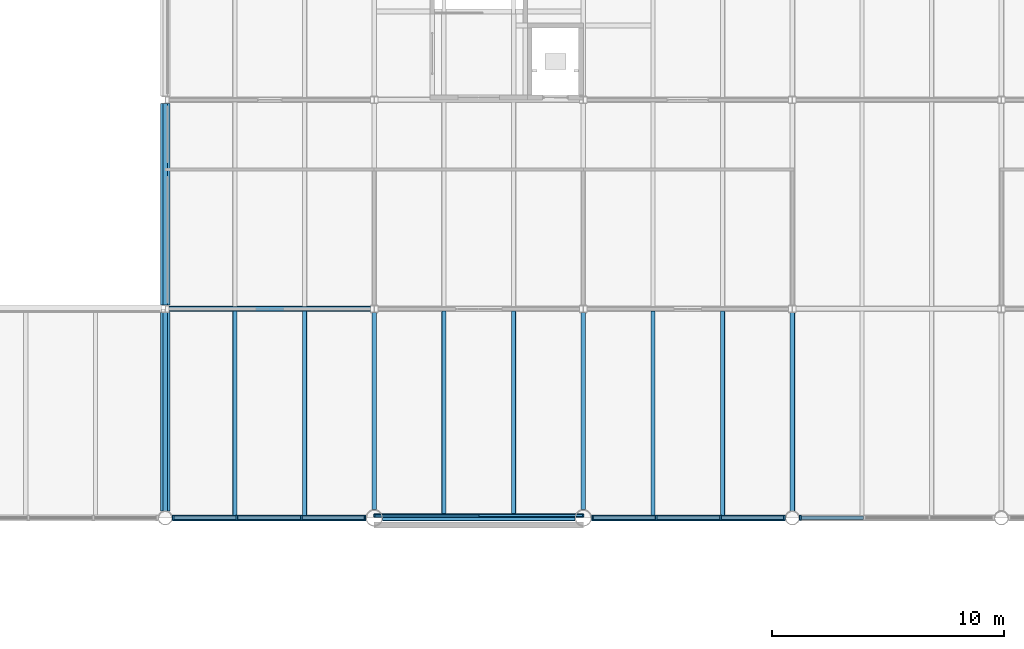
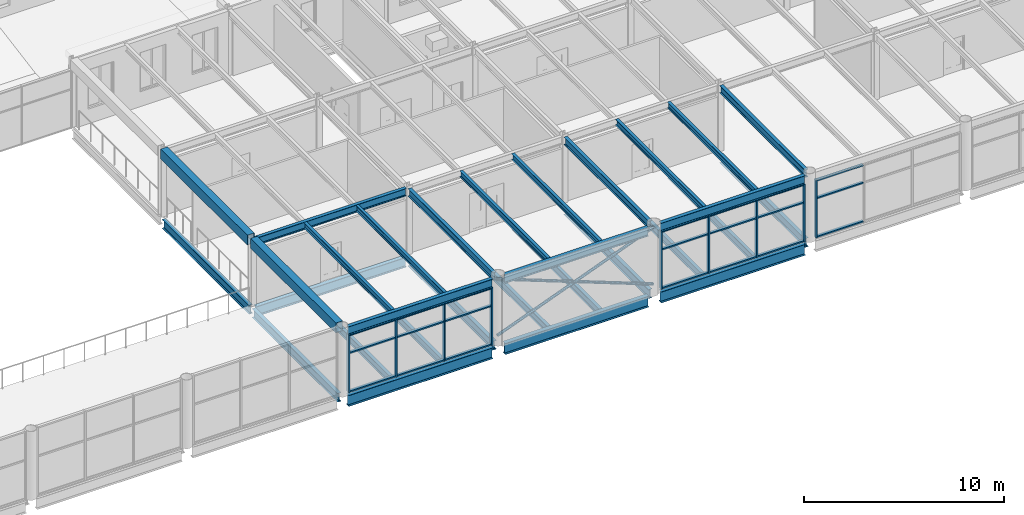
# One storey, part 42 of 123: 32 members, 30 beams, 3 elements without a shape of their own.
"""IFC4 building model written with IfcOpenShell, lengths in metres."""

from ifc_helpers import new_model, si_unit, direction, frame, origin, origin_2d, place, context, subcontext, project, spatial, rectangle, hollow_rectangle, hollow_circle, i_section, extrude, material, material_profile, profile_set, type_object, element, aggregate, save


model = new_model("IFC4")

# Units and contexts
model_context = context("Model", 3, precision=1e-05, world=origin(), true_north=direction((0.0, 1.0)))
body_context = subcontext(model_context, "Body", "Model", "MODEL_VIEW")
ifc_project = project(units=[si_unit("LENGTHUNIT", "METRE"), si_unit("AREAUNIT", "SQUARE_METRE"), si_unit("VOLUMEUNIT", "CUBIC_METRE"), si_unit("PLANEANGLEUNIT", "RADIAN"), si_unit("MASSUNIT", "GRAM", prefix="KILO")], contexts=[model_context])

# Site, building, storey
site_placement = place(None, origin())
site = spatial("IfcSite", under=ifc_project, at=site_placement, CompositionType="ELEMENT")
building_placement = place(site_placement, origin())
building = spatial("IfcBuilding", under=site, at=building_placement, Name="Baradari Gate Terminus", CompositionType="ELEMENT")
storey_placement = place(building_placement, frame((0.0, 0.0, 7.5)))
storey = spatial("IfcBuildingStorey", under=building, at=storey_placement, Name="L01", CompositionType="ELEMENT", Elevation=7.5)

# Members
ifc_material_1 = material(Name="Steel S355", Category="steel")
ifc_material_profile_1 = material_profile(ifc_material_1, hollow_circle(Radius=0.084228515625, WallThickness=0.010009765625, at=origin_2d()), Name="CHS 168.3x10")
ifc_profile_set_1 = profile_set([ifc_material_profile_1], Name="Steel S355")
member_type_1 = type_object("IfcMemberType", Name="Column bracing X06 CHS 168.3x10", PredefinedType="BRACE", material=ifc_profile_set_1)
for number, where, z_axis, x_axis, name in (
    (1, (180.0, 81.10009765625, 0.35009765625), (0.933747810426, 0.0, 0.357931594757), (0.0, 1.0, 0.0), "Column bracing 21-22 line K L01"),
    (2, (189.0, 81.10009765625, 0.35009765625), (-0.933747810426, 0.0, 0.357931594757), (0.0, -1.0, 0.0), "Column bracing 21-22 line K L01"),
):
    element("IfcMember", number, at=place(storey_placement, frame(where, z_axis=z_axis, x_axis=x_axis)), inside=storey, type_object=member_type_1, Name=name, PredefinedType="BRACE", context=body_context, shape_type="SweptSolid", body=[
        extrude(hollow_circle(Radius=0.084228515625, WallThickness=0.010009765625, at=origin_2d()), origin(), (0.0, 0.0, 1.0), 9.638671875),
    ])

# Curtain wall, members
ifc_material_2 = material(Name="Aluminium 6063-T6", Category="aluminium")
curtain_wall_type = type_object("IfcCurtainWallType", Name="Curtain wall CW-13 concourse gallery glazing", PredefinedType="NOTDEFINED", material=ifc_material_2)
curtain_wall_1_placement = place(storey_placement, origin())
curtain_wall_1 = element("IfcCurtainWall", 3, at=curtain_wall_1_placement, inside=storey, type_object=curtain_wall_type, Name="Glazed curtain wall CW-13 HS bay 20 L01", PredefinedType="NOTDEFINED")
ifc_material_3 = material(Name="Aluminium 6063-T6", Category="aluminium")
ifc_material_profile_2 = material_profile(ifc_material_3, rectangle(XDim=0.22509765625, YDim=0.080078125, at=origin_2d()), Name="CM-13 80X225")
ifc_profile_set_2 = profile_set([ifc_material_profile_2], Name="Aluminium 6063-T6")
member_type_2 = type_object("IfcMemberType", Name="Curtain wall mullion CM-13 80x225", PredefinedType="MULLION", material=ifc_profile_set_2)
member_1_placement = place(storey_placement, frame((171.344970703125, 81.0, 0.0), z_axis=(0.0, 0.0, 1.0), x_axis=(0.0, 1.0, 0.0)))
member_1 = element("IfcMember", 4, at=member_1_placement, type_object=member_type_2, Name="CW-13 mullion 1", PredefinedType="MULLION", context=body_context, shape_type="SweptSolid", body=[
    extrude(rectangle(XDim=0.22509765625, YDim=0.080078125, at=origin_2d()), origin(), (0.0, 0.0, 1.0), 3.516845703125),
])
member_2_placement = place(storey_placement, frame((174.084716796875, 81.0, 0.0), z_axis=(0.0, 0.0, 1.0), x_axis=(0.0, 1.0, 0.0)))
member_2 = element("IfcMember", 5, at=member_2_placement, type_object=member_type_2, Name="CW-13 mullion 2", PredefinedType="MULLION", context=body_context, shape_type="SweptSolid", body=[
    extrude(rectangle(XDim=0.22509765625, YDim=0.080078125, at=origin_2d()), origin(), (0.0, 0.0, 1.0), 3.516845703125),
])
member_3_placement = place(storey_placement, frame((176.86474609375, 81.0, 0.0), z_axis=(0.0, 0.0, 1.0), x_axis=(0.0, 1.0, 0.0)))
member_3 = element("IfcMember", 6, at=member_3_placement, type_object=member_type_2, Name="CW-13 mullion 3", PredefinedType="MULLION", context=body_context, shape_type="SweptSolid", body=[
    extrude(rectangle(XDim=0.22509765625, YDim=0.080078125, at=origin_2d()), origin(), (0.0, 0.0, 1.0), 3.516845703125),
])
member_4_placement = place(storey_placement, frame((179.6044921875, 81.0, 0.0), z_axis=(0.0, 0.0, 1.0), x_axis=(0.0, 1.0, 0.0)))
member_4 = element("IfcMember", 7, at=member_4_placement, type_object=member_type_2, Name="CW-13 mullion 4", PredefinedType="MULLION", context=body_context, shape_type="SweptSolid", body=[
    extrude(rectangle(XDim=0.22509765625, YDim=0.080078125, at=origin_2d()), origin(), (0.0, 0.0, 1.0), 3.516845703125),
])

curtain_wall_2_placement = place(storey_placement, origin())
curtain_wall_2 = element("IfcCurtainWall", 8, at=curtain_wall_2_placement, inside=storey, type_object=curtain_wall_type, Name="Glazed curtain wall CW-13 HS bay 22 L01", PredefinedType="NOTDEFINED")
member_5_placement = place(storey_placement, frame((189.3955078125, 81.0, 0.0), z_axis=(0.0, 0.0, 1.0), x_axis=(0.0, 1.0, 0.0)))
member_5 = element("IfcMember", 9, at=member_5_placement, type_object=member_type_2, Name="CW-13 mullion 1", PredefinedType="MULLION", context=body_context, shape_type="SweptSolid", body=[
    extrude(rectangle(XDim=0.22509765625, YDim=0.080078125, at=origin_2d()), origin(), (0.0, 0.0, 1.0), 3.516845703125),
])
member_6_placement = place(storey_placement, frame((192.13525390625, 81.0, 0.0), z_axis=(0.0, 0.0, 1.0), x_axis=(0.0, 1.0, 0.0)))
member_6 = element("IfcMember", 10, at=member_6_placement, type_object=member_type_2, Name="CW-13 mullion 2", PredefinedType="MULLION", context=body_context, shape_type="SweptSolid", body=[
    extrude(rectangle(XDim=0.22509765625, YDim=0.080078125, at=origin_2d()), origin(), (0.0, 0.0, 1.0), 3.516845703125),
])
member_7_placement = place(storey_placement, frame((194.915283203125, 81.0, 0.0), z_axis=(0.0, 0.0, 1.0), x_axis=(0.0, 1.0, 0.0)))
member_7 = element("IfcMember", 11, at=member_7_placement, type_object=member_type_2, Name="CW-13 mullion 3", PredefinedType="MULLION", context=body_context, shape_type="SweptSolid", body=[
    extrude(rectangle(XDim=0.22509765625, YDim=0.080078125, at=origin_2d()), origin(), (0.0, 0.0, 1.0), 3.516845703125),
])
member_8_placement = place(storey_placement, frame((197.655029296875, 81.0, 0.0), z_axis=(0.0, 0.0, 1.0), x_axis=(0.0, 1.0, 0.0)))
member_8 = element("IfcMember", 12, at=member_8_placement, type_object=member_type_2, Name="CW-13 mullion 4", PredefinedType="MULLION", context=body_context, shape_type="SweptSolid", body=[
    extrude(rectangle(XDim=0.22509765625, YDim=0.080078125, at=origin_2d()), origin(), (0.0, 0.0, 1.0), 3.516845703125),
])

# Curtain wall, member
curtain_wall_3_placement = place(storey_placement, origin())
curtain_wall_3 = element("IfcCurtainWall", 13, at=curtain_wall_3_placement, inside=storey, type_object=curtain_wall_type, Name="Glazed curtain wall CW-13 HS bay 23 L01", PredefinedType="NOTDEFINED")
member_9_placement = place(storey_placement, frame((198.344970703125, 81.0, 0.0), z_axis=(0.0, 0.0, 1.0), x_axis=(0.0, 1.0, 0.0)))
member_9 = element("IfcMember", 14, at=member_9_placement, type_object=member_type_2, Name="CW-13 mullion 1", PredefinedType="MULLION", context=body_context, shape_type="SweptSolid", body=[
    extrude(rectangle(XDim=0.22509765625, YDim=0.080078125, at=origin_2d()), origin(), (0.0, 0.0, 1.0), 3.516845703125),
])

# Member
ifc_material_4 = material(Name="Aluminium 6063-T6", Category="aluminium")
ifc_material_profile_3 = material_profile(ifc_material_4, rectangle(XDim=0.159912109375, YDim=0.080078125, at=origin_2d()), Name="CT-13 80X160")
ifc_profile_set_3 = profile_set([ifc_material_profile_3], Name="Aluminium 6063-T6")
member_type_3 = type_object("IfcMemberType", Name="Curtain wall transom CT-13 80x160", PredefinedType="USERDEFINED", material=ifc_profile_set_3)
member_10_placement = place(storey_placement, frame((171.385009765625, 81.0, 0.0400390625), z_axis=(1.0, 0.0, 0.0), x_axis=(0.0, 1.0, 0.0)))
member_10 = element("IfcMember", 15, at=member_10_placement, type_object=member_type_3, Name="CW-13 transom 1.1", ObjectType="TRANSOM", PredefinedType="USERDEFINED", context=body_context, shape_type="SweptSolid", body=[
    extrude(rectangle(XDim=0.159912109375, YDim=0.080078125, at=origin_2d()), origin(), (0.0, 0.0, 1.0), 2.659912109375),
])

member_11_placement = place(storey_placement, frame((171.385009765625, 81.0, 2.39990234375), z_axis=(1.0, 0.0, 0.0), x_axis=(0.0, 1.0, 0.0)))
member_11 = element("IfcMember", 16, at=member_11_placement, type_object=member_type_3, Name="CW-13 transom 1.2", ObjectType="TRANSOM", PredefinedType="USERDEFINED", context=body_context, shape_type="SweptSolid", body=[
    extrude(rectangle(XDim=0.159912109375, YDim=0.080078125, at=origin_2d()), origin(), (0.0, 0.0, 1.0), 2.659912109375),
])

member_12_placement = place(storey_placement, frame((171.385009765625, 81.0, 3.476806640625), z_axis=(1.0, 0.0, 0.0), x_axis=(0.0, 1.0, 0.0)))
member_12 = element("IfcMember", 17, at=member_12_placement, type_object=member_type_3, Name="CW-13 transom 1.3", ObjectType="TRANSOM", PredefinedType="USERDEFINED", context=body_context, shape_type="SweptSolid", body=[
    extrude(rectangle(XDim=0.159912109375, YDim=0.080078125, at=origin_2d()), origin(), (0.0, 0.0, 1.0), 2.659912109375),
])

member_13_placement = place(storey_placement, frame((174.124755859375, 81.0, 0.0400390625), z_axis=(1.0, 0.0, 0.0), x_axis=(0.0, 1.0, 0.0)))
member_13 = element("IfcMember", 18, at=member_13_placement, type_object=member_type_3, Name="CW-13 transom 2.1", ObjectType="TRANSOM", PredefinedType="USERDEFINED", context=body_context, shape_type="SweptSolid", body=[
    extrude(rectangle(XDim=0.159912109375, YDim=0.080078125, at=origin_2d()), origin(), (0.0, 0.0, 1.0), 2.699951171875),
])

member_14_placement = place(storey_placement, frame((174.124755859375, 81.0, 2.39990234375), z_axis=(1.0, 0.0, 0.0), x_axis=(0.0, 1.0, 0.0)))
member_14 = element("IfcMember", 19, at=member_14_placement, type_object=member_type_3, Name="CW-13 transom 2.2", ObjectType="TRANSOM", PredefinedType="USERDEFINED", context=body_context, shape_type="SweptSolid", body=[
    extrude(rectangle(XDim=0.159912109375, YDim=0.080078125, at=origin_2d()), origin(), (0.0, 0.0, 1.0), 2.699951171875),
])

member_15_placement = place(storey_placement, frame((174.124755859375, 81.0, 3.476806640625), z_axis=(1.0, 0.0, 0.0), x_axis=(0.0, 1.0, 0.0)))
member_15 = element("IfcMember", 20, at=member_15_placement, type_object=member_type_3, Name="CW-13 transom 2.3", ObjectType="TRANSOM", PredefinedType="USERDEFINED", context=body_context, shape_type="SweptSolid", body=[
    extrude(rectangle(XDim=0.159912109375, YDim=0.080078125, at=origin_2d()), origin(), (0.0, 0.0, 1.0), 2.699951171875),
])

member_16_placement = place(storey_placement, frame((176.90478515625, 81.0, 0.0400390625), z_axis=(1.0, 0.0, 0.0), x_axis=(0.0, 1.0, 0.0)))
member_16 = element("IfcMember", 21, at=member_16_placement, type_object=member_type_3, Name="CW-13 transom 3.1", ObjectType="TRANSOM", PredefinedType="USERDEFINED", context=body_context, shape_type="SweptSolid", body=[
    extrude(rectangle(XDim=0.159912109375, YDim=0.080078125, at=origin_2d()), origin(), (0.0, 0.0, 1.0), 2.65966796875),
])

member_17_placement = place(storey_placement, frame((176.90478515625, 81.0, 2.39990234375), z_axis=(1.0, 0.0, 0.0), x_axis=(0.0, 1.0, 0.0)))
member_17 = element("IfcMember", 22, at=member_17_placement, type_object=member_type_3, Name="CW-13 transom 3.2", ObjectType="TRANSOM", PredefinedType="USERDEFINED", context=body_context, shape_type="SweptSolid", body=[
    extrude(rectangle(XDim=0.159912109375, YDim=0.080078125, at=origin_2d()), origin(), (0.0, 0.0, 1.0), 2.65966796875),
])

member_18_placement = place(storey_placement, frame((176.90478515625, 81.0, 3.476806640625), z_axis=(1.0, 0.0, 0.0), x_axis=(0.0, 1.0, 0.0)))
member_18 = element("IfcMember", 23, at=member_18_placement, type_object=member_type_3, Name="CW-13 transom 3.3", ObjectType="TRANSOM", PredefinedType="USERDEFINED", context=body_context, shape_type="SweptSolid", body=[
    extrude(rectangle(XDim=0.159912109375, YDim=0.080078125, at=origin_2d()), origin(), (0.0, 0.0, 1.0), 2.65966796875),
])

aggregate(curtain_wall_1, [member_1, member_2, member_3, member_4, member_10, member_11, member_12, member_13, member_14, member_15, member_16, member_17, member_18])

member_19_placement = place(storey_placement, frame((189.435546875, 81.0, 0.0400390625), z_axis=(1.0, 0.0, 0.0), x_axis=(0.0, 1.0, 0.0)))
member_19 = element("IfcMember", 24, at=member_19_placement, type_object=member_type_3, Name="CW-13 transom 1.1", ObjectType="TRANSOM", PredefinedType="USERDEFINED", context=body_context, shape_type="SweptSolid", body=[
    extrude(rectangle(XDim=0.159912109375, YDim=0.080078125, at=origin_2d()), origin(), (0.0, 0.0, 1.0), 2.65966796875),
])

member_20_placement = place(storey_placement, frame((189.435546875, 81.0, 2.39990234375), z_axis=(1.0, 0.0, 0.0), x_axis=(0.0, 1.0, 0.0)))
member_20 = element("IfcMember", 25, at=member_20_placement, type_object=member_type_3, Name="CW-13 transom 1.2", ObjectType="TRANSOM", PredefinedType="USERDEFINED", context=body_context, shape_type="SweptSolid", body=[
    extrude(rectangle(XDim=0.159912109375, YDim=0.080078125, at=origin_2d()), origin(), (0.0, 0.0, 1.0), 2.65966796875),
])

member_21_placement = place(storey_placement, frame((189.435546875, 81.0, 3.476806640625), z_axis=(1.0, 0.0, 0.0), x_axis=(0.0, 1.0, 0.0)))
member_21 = element("IfcMember", 26, at=member_21_placement, type_object=member_type_3, Name="CW-13 transom 1.3", ObjectType="TRANSOM", PredefinedType="USERDEFINED", context=body_context, shape_type="SweptSolid", body=[
    extrude(rectangle(XDim=0.159912109375, YDim=0.080078125, at=origin_2d()), origin(), (0.0, 0.0, 1.0), 2.65966796875),
])

member_22_placement = place(storey_placement, frame((192.17529296875, 81.0, 0.0400390625), z_axis=(1.0, 0.0, 0.0), x_axis=(0.0, 1.0, 0.0)))
member_22 = element("IfcMember", 27, at=member_22_placement, type_object=member_type_3, Name="CW-13 transom 2.1", ObjectType="TRANSOM", PredefinedType="USERDEFINED", context=body_context, shape_type="SweptSolid", body=[
    extrude(rectangle(XDim=0.159912109375, YDim=0.080078125, at=origin_2d()), origin(), (0.0, 0.0, 1.0), 2.699951171875),
])

member_23_placement = place(storey_placement, frame((192.17529296875, 81.0, 2.39990234375), z_axis=(1.0, 0.0, 0.0), x_axis=(0.0, 1.0, 0.0)))
member_23 = element("IfcMember", 28, at=member_23_placement, type_object=member_type_3, Name="CW-13 transom 2.2", ObjectType="TRANSOM", PredefinedType="USERDEFINED", context=body_context, shape_type="SweptSolid", body=[
    extrude(rectangle(XDim=0.159912109375, YDim=0.080078125, at=origin_2d()), origin(), (0.0, 0.0, 1.0), 2.699951171875),
])

member_24_placement = place(storey_placement, frame((192.17529296875, 81.0, 3.476806640625), z_axis=(1.0, 0.0, 0.0), x_axis=(0.0, 1.0, 0.0)))
member_24 = element("IfcMember", 29, at=member_24_placement, type_object=member_type_3, Name="CW-13 transom 2.3", ObjectType="TRANSOM", PredefinedType="USERDEFINED", context=body_context, shape_type="SweptSolid", body=[
    extrude(rectangle(XDim=0.159912109375, YDim=0.080078125, at=origin_2d()), origin(), (0.0, 0.0, 1.0), 2.699951171875),
])

member_25_placement = place(storey_placement, frame((194.955078125, 81.0, 0.0400390625), z_axis=(1.0, 0.0, 0.0), x_axis=(0.0, 1.0, 0.0)))
member_25 = element("IfcMember", 30, at=member_25_placement, type_object=member_type_3, Name="CW-13 transom 3.1", ObjectType="TRANSOM", PredefinedType="USERDEFINED", context=body_context, shape_type="SweptSolid", body=[
    extrude(rectangle(XDim=0.159912109375, YDim=0.080078125, at=origin_2d()), origin(), (0.0, 0.0, 1.0), 2.659912109375),
])

member_26_placement = place(storey_placement, frame((194.955078125, 81.0, 2.39990234375), z_axis=(1.0, 0.0, 0.0), x_axis=(0.0, 1.0, 0.0)))
member_26 = element("IfcMember", 31, at=member_26_placement, type_object=member_type_3, Name="CW-13 transom 3.2", ObjectType="TRANSOM", PredefinedType="USERDEFINED", context=body_context, shape_type="SweptSolid", body=[
    extrude(rectangle(XDim=0.159912109375, YDim=0.080078125, at=origin_2d()), origin(), (0.0, 0.0, 1.0), 2.659912109375),
])

member_27_placement = place(storey_placement, frame((194.955078125, 81.0, 3.476806640625), z_axis=(1.0, 0.0, 0.0), x_axis=(0.0, 1.0, 0.0)))
member_27 = element("IfcMember", 32, at=member_27_placement, type_object=member_type_3, Name="CW-13 transom 3.3", ObjectType="TRANSOM", PredefinedType="USERDEFINED", context=body_context, shape_type="SweptSolid", body=[
    extrude(rectangle(XDim=0.159912109375, YDim=0.080078125, at=origin_2d()), origin(), (0.0, 0.0, 1.0), 2.659912109375),
])

aggregate(curtain_wall_2, [member_5, member_6, member_7, member_8, member_19, member_20, member_21, member_22, member_23, member_24, member_25, member_26, member_27])

member_28_placement = place(storey_placement, frame((198.385009765625, 81.0, 0.0400390625), z_axis=(1.0, 0.0, 0.0), x_axis=(0.0, 1.0, 0.0)))
member_28 = element("IfcMember", 33, at=member_28_placement, type_object=member_type_3, Name="CW-13 transom 1.1", ObjectType="TRANSOM", PredefinedType="USERDEFINED", context=body_context, shape_type="SweptSolid", body=[
    extrude(rectangle(XDim=0.159912109375, YDim=0.080078125, at=origin_2d()), origin(), (0.0, 0.0, 1.0), 2.6767578125),
])

member_29_placement = place(storey_placement, frame((198.385009765625, 81.0, 2.39990234375), z_axis=(1.0, 0.0, 0.0), x_axis=(0.0, 1.0, 0.0)))
member_29 = element("IfcMember", 34, at=member_29_placement, type_object=member_type_3, Name="CW-13 transom 1.2", ObjectType="TRANSOM", PredefinedType="USERDEFINED", context=body_context, shape_type="SweptSolid", body=[
    extrude(rectangle(XDim=0.159912109375, YDim=0.080078125, at=origin_2d()), origin(), (0.0, 0.0, 1.0), 2.6767578125),
])

member_30_placement = place(storey_placement, frame((198.385009765625, 81.0, 3.476806640625), z_axis=(1.0, 0.0, 0.0), x_axis=(0.0, 1.0, 0.0)))
member_30 = element("IfcMember", 35, at=member_30_placement, type_object=member_type_3, Name="CW-13 transom 1.3", ObjectType="TRANSOM", PredefinedType="USERDEFINED", context=body_context, shape_type="SweptSolid", body=[
    extrude(rectangle(XDim=0.159912109375, YDim=0.080078125, at=origin_2d()), origin(), (0.0, 0.0, 1.0), 2.6767578125),
])

aggregate(curtain_wall_3, [member_9, member_28, member_29, member_30])

# Beams
ifc_material_5 = material(Name="Steel S355", Category="steel")
ifc_material_profile_4 = material_profile(ifc_material_5, i_section(OverallWidth=0.210693359375, OverallDepth=0.53955078125, WebThickness=0.01171875, FlangeThickness=0.018798828125, FilletRadius=0.0126953125, at=origin_2d()), Name="UB 533x210x109")
ifc_profile_set_4 = profile_set([ifc_material_profile_4], Name="Steel S355")
beam_type_1 = type_object("IfcBeamType", Name="Head-house cross girder B12 UB 533x210x109", PredefinedType="BEAM", material=ifc_profile_set_4)
beam_1_placement = place(storey_placement, frame((171.0, 81.304931640625, -0.399658203125), z_axis=(0.0, 1.0, 0.0), x_axis=(-1.0, 0.0, 0.0)))
element("IfcBeam", 36, at=beam_1_placement, inside=storey, type_object=beam_type_1, Name="Head-house cross girder B12 20:81.305-89.843 L01", PredefinedType="BEAM", context=body_context, shape_type="SweptSolid", body=[
    extrude(i_section(OverallWidth=0.210693359375, OverallDepth=0.53955078125, WebThickness=0.01171875, FlangeThickness=0.018798828125, FilletRadius=0.0126953125, at=origin_2d()), origin(), (0.0, 0.0, 1.0), 8.537841796875),
])
beam_2_placement = place(storey_placement, frame((171.0, 90.1572265625, -0.399658203125), z_axis=(0.0, 1.0, 0.0), x_axis=(-1.0, 0.0, 0.0)))
element("IfcBeam", 37, at=beam_2_placement, inside=storey, type_object=beam_type_1, Name="Head-house cross girder B12 20:90.157-98.843 L01", PredefinedType="BEAM", context=body_context, shape_type="SweptSolid", body=[
    extrude(i_section(OverallWidth=0.210693359375, OverallDepth=0.53955078125, WebThickness=0.01171875, FlangeThickness=0.018798828125, FilletRadius=0.0126953125, at=origin_2d()), origin(), (0.0, 0.0, 1.0), 8.685546875),
])
for number, where, z_axis, x_axis, name in (
    (38, (180.0, 81.35546875, -0.399658203125), (0.0, 1.0, 0.0), (-1.0, 0.0, 0.0), "Head-house cross girder B12 21:81.356-89.843 L01"),
    (39, (189.0, 81.35546875, -0.399658203125), (0.0, 1.0, 0.0), (-1.0, 0.0, 0.0), "Head-house cross girder B12 22:81.356-89.843 L01"),
):
    element("IfcBeam", number, at=place(storey_placement, frame(where, z_axis=z_axis, x_axis=x_axis)), inside=storey, type_object=beam_type_1, Name=name, PredefinedType="BEAM", context=body_context, shape_type="SweptSolid", body=[
        extrude(i_section(OverallWidth=0.210693359375, OverallDepth=0.53955078125, WebThickness=0.01171875, FlangeThickness=0.018798828125, FilletRadius=0.0126953125, at=origin_2d()), origin(), (0.0, 0.0, 1.0), 8.4873046875),
    ])
beam_3_placement = place(storey_placement, frame((198.0, 81.304931640625, -0.399658203125), z_axis=(0.0, 1.0, 0.0), x_axis=(-1.0, 0.0, 0.0)))
element("IfcBeam", 40, at=beam_3_placement, inside=storey, type_object=beam_type_1, Name="Head-house cross girder B12 23:81.305-89.843 L01", PredefinedType="BEAM", context=body_context, shape_type="SweptSolid", body=[
    extrude(i_section(OverallWidth=0.210693359375, OverallDepth=0.53955078125, WebThickness=0.01171875, FlangeThickness=0.018798828125, FilletRadius=0.0126953125, at=origin_2d()), origin(), (0.0, 0.0, 1.0), 8.537841796875),
])
ifc_material_6 = material(Name="Steel S355", Category="steel")
ifc_material_profile_5 = material_profile(ifc_material_6, i_section(OverallWidth=0.2529296875, OverallDepth=0.677978515625, WebThickness=0.01171875, FlangeThickness=0.01611328125, FilletRadius=0.01513671875, at=origin_2d()), Name="UB 686x254x125")
ifc_profile_set_5 = profile_set([ifc_material_profile_5], Name="Steel S355")
beam_type_2 = type_object("IfcBeamType", Name="Head-house edge girder B07 UB 686x254x125", PredefinedType="BEAM", material=ifc_profile_set_5)
beam_4_placement = place(storey_placement, frame((171.304931640625, 81.0, -0.468994140625), z_axis=(1.0, 0.0, 0.0), x_axis=(0.0, 1.0, 0.0)))
element("IfcBeam", 41, at=beam_4_placement, inside=storey, type_object=beam_type_2, Name="Head-house edge girder B07 K:171.305-179.644 L01", PredefinedType="BEAM", context=body_context, shape_type="SweptSolid", body=[
    extrude(i_section(OverallWidth=0.2529296875, OverallDepth=0.677978515625, WebThickness=0.01171875, FlangeThickness=0.01611328125, FilletRadius=0.01513671875, at=origin_2d()), origin(), (0.0, 0.0, 1.0), 8.339599609375),
])
beam_5_placement = place(storey_placement, frame((180.35546875, 81.0, -0.468994140625), z_axis=(1.0, 0.0, 0.0), x_axis=(0.0, 1.0, 0.0)))
element("IfcBeam", 42, at=beam_5_placement, inside=storey, type_object=beam_type_2, Name="Head-house edge girder B07 K:180.356-188.644 L01", PredefinedType="BEAM", context=body_context, shape_type="SweptSolid", body=[
    extrude(i_section(OverallWidth=0.2529296875, OverallDepth=0.677978515625, WebThickness=0.01171875, FlangeThickness=0.01611328125, FilletRadius=0.01513671875, at=origin_2d()), origin(), (0.0, 0.0, 1.0), 8.2890625),
])
beam_6_placement = place(storey_placement, frame((189.35546875, 81.0, -0.468994140625), z_axis=(1.0, 0.0, 0.0), x_axis=(0.0, 1.0, 0.0)))
element("IfcBeam", 43, at=beam_6_placement, inside=storey, type_object=beam_type_2, Name="Head-house edge girder B07 K:189.356-197.695 L01", PredefinedType="BEAM", context=body_context, shape_type="SweptSolid", body=[
    extrude(i_section(OverallWidth=0.2529296875, OverallDepth=0.677978515625, WebThickness=0.01171875, FlangeThickness=0.01611328125, FilletRadius=0.01513671875, at=origin_2d()), origin(), (0.0, 0.0, 1.0), 8.339599609375),
])
ifc_material_7 = material(Name="Steel S355", Category="steel")
ifc_material_profile_6 = material_profile(ifc_material_7, i_section(OverallWidth=0.22900390625, OverallDepth=0.6123046875, WebThickness=0.011962890625, FlangeThickness=0.01953125, FilletRadius=0.0126953125, at=origin_2d()), Name="UB 610x229x125")
ifc_profile_set_6 = profile_set([ifc_material_profile_6], Name="Steel S355")
beam_type_3 = type_object("IfcBeamType", Name="Head-house girder B09 UB 610x229x125", PredefinedType="BEAM", material=ifc_profile_set_6)
beam_7_placement = place(storey_placement, frame((171.15380859375, 90.0, -0.43603515625), z_axis=(1.0, 0.0, 0.0), x_axis=(0.0, 1.0, 0.0)))
element("IfcBeam", 44, at=beam_7_placement, inside=storey, type_object=beam_type_3, Name="Head-house girder B09 L:171.154-179.846 L01", PredefinedType="BEAM", context=body_context, shape_type="SweptSolid", body=[
    extrude(i_section(OverallWidth=0.22900390625, OverallDepth=0.6123046875, WebThickness=0.011962890625, FlangeThickness=0.01953125, FilletRadius=0.0126953125, at=origin_2d()), origin(), (0.0, 0.0, 1.0), 8.6923828125),
])
ifc_material_8 = material(Name="Steel S355", Category="steel")
ifc_material_profile_7 = material_profile(ifc_material_8, i_section(OverallWidth=0.1904296875, OverallDepth=0.45703125, WebThickness=0.009033203125, FlangeThickness=0.014404296875, FilletRadius=0.01025390625, at=origin_2d()), Name="UB 457x191x74")
ifc_profile_set_7 = profile_set([ifc_material_profile_7], Name="Steel S355")
beam_type_4 = type_object("IfcBeamType", Name="Head-house roof cross girder B51 UB 457x191x74", PredefinedType="BEAM", material=ifc_profile_set_7)
for number, where, z_axis, x_axis, name in (
    (45, (180.0, 81.35546875, 3.821533203125), (0.0, 1.0, 0.0), (-1.0, 0.0, 0.0), "Head-house roof cross girder B51 21:81.356-89.843 L01"),
    (46, (189.0, 81.35546875, 3.821533203125), (0.0, 1.0, 0.0), (-1.0, 0.0, 0.0), "Head-house roof cross girder B51 22:81.356-89.843 L01"),
):
    element("IfcBeam", number, at=place(storey_placement, frame(where, z_axis=z_axis, x_axis=x_axis)), inside=storey, type_object=beam_type_4, Name=name, PredefinedType="BEAM", context=body_context, shape_type="SweptSolid", body=[
        extrude(i_section(OverallWidth=0.1904296875, OverallDepth=0.45703125, WebThickness=0.009033203125, FlangeThickness=0.014404296875, FilletRadius=0.01025390625, at=origin_2d()), origin(), (0.0, 0.0, 1.0), 8.4873046875),
    ])
beam_8_placement = place(storey_placement, frame((198.0, 81.304931640625, 3.821533203125), z_axis=(0.0, 1.0, 0.0), x_axis=(-1.0, 0.0, 0.0)))
element("IfcBeam", 47, at=beam_8_placement, inside=storey, type_object=beam_type_4, Name="Head-house roof cross girder B51 23:81.305-89.843 L01", PredefinedType="BEAM", context=body_context, shape_type="SweptSolid", body=[
    extrude(i_section(OverallWidth=0.1904296875, OverallDepth=0.45703125, WebThickness=0.009033203125, FlangeThickness=0.014404296875, FilletRadius=0.01025390625, at=origin_2d()), origin(), (0.0, 0.0, 1.0), 8.537841796875),
])
ifc_material_9 = material(Name="Steel S355", Category="steel")
ifc_material_profile_8 = material_profile(ifc_material_9, i_section(OverallWidth=0.209228515625, OverallDepth=0.533203125, WebThickness=0.010009765625, FlangeThickness=0.015625, FilletRadius=0.0126953125, at=origin_2d()), Name="UB 533x210x92")
ifc_profile_set_8 = profile_set([ifc_material_profile_8], Name="Steel S355")
beam_type_5 = type_object("IfcBeamType", Name="Head-house roof edge girder B48 UB 533x210x92", PredefinedType="BEAM", material=ifc_profile_set_8)
beam_9_placement = place(storey_placement, frame((171.304931640625, 81.0, 3.783447265625), z_axis=(1.0, 0.0, 0.0), x_axis=(0.0, 1.0, 0.0)))
element("IfcBeam", 48, at=beam_9_placement, inside=storey, type_object=beam_type_5, Name="Head-house roof edge girder B48 K:171.305-179.644 L01", PredefinedType="BEAM", context=body_context, shape_type="SweptSolid", body=[
    extrude(i_section(OverallWidth=0.209228515625, OverallDepth=0.533203125, WebThickness=0.010009765625, FlangeThickness=0.015625, FilletRadius=0.0126953125, at=origin_2d()), origin(), (0.0, 0.0, 1.0), 8.339599609375),
])
beam_10_placement = place(storey_placement, frame((180.35546875, 81.0, 3.783447265625), z_axis=(1.0, 0.0, 0.0), x_axis=(0.0, 1.0, 0.0)))
element("IfcBeam", 49, at=beam_10_placement, inside=storey, type_object=beam_type_5, Name="Head-house roof edge girder B48 K:180.356-188.644 L01", PredefinedType="BEAM", context=body_context, shape_type="SweptSolid", body=[
    extrude(i_section(OverallWidth=0.209228515625, OverallDepth=0.533203125, WebThickness=0.010009765625, FlangeThickness=0.015625, FilletRadius=0.0126953125, at=origin_2d()), origin(), (0.0, 0.0, 1.0), 8.2890625),
])
beam_11_placement = place(storey_placement, frame((189.35546875, 81.0, 3.783447265625), z_axis=(1.0, 0.0, 0.0), x_axis=(0.0, 1.0, 0.0)))
element("IfcBeam", 50, at=beam_11_placement, inside=storey, type_object=beam_type_5, Name="Head-house roof edge girder B48 K:189.356-197.695 L01", PredefinedType="BEAM", context=body_context, shape_type="SweptSolid", body=[
    extrude(i_section(OverallWidth=0.209228515625, OverallDepth=0.533203125, WebThickness=0.010009765625, FlangeThickness=0.015625, FilletRadius=0.0126953125, at=origin_2d()), origin(), (0.0, 0.0, 1.0), 8.339599609375),
])
ifc_material_10 = material(Name="Steel S355", Category="steel")
ifc_material_profile_9 = material_profile(ifc_material_10, i_section(OverallWidth=0.19140625, OverallDepth=0.4599609375, WebThickness=0.010009765625, FlangeThickness=0.01611328125, FilletRadius=0.01025390625, at=origin_2d()), Name="UB 457x191x82")
ifc_profile_set_9 = profile_set([ifc_material_profile_9], Name="Steel S355")
beam_type_6 = type_object("IfcBeamType", Name="Head-house roof girder B49 UB 457x191x82", PredefinedType="BEAM", material=ifc_profile_set_9)
beam_12_placement = place(storey_placement, frame((171.15380859375, 90.0, 3.820068359375), z_axis=(1.0, 0.0, 0.0), x_axis=(0.0, 1.0, 0.0)))
element("IfcBeam", 51, at=beam_12_placement, inside=storey, type_object=beam_type_6, Name="Head-house roof girder B49 L:171.154-179.846 L01", PredefinedType="BEAM", context=body_context, shape_type="SweptSolid", body=[
    extrude(i_section(OverallWidth=0.19140625, OverallDepth=0.4599609375, WebThickness=0.010009765625, FlangeThickness=0.01611328125, FilletRadius=0.01025390625, at=origin_2d()), origin(), (0.0, 0.0, 1.0), 8.6923828125),
])
ifc_material_11 = material(Name="Steel S355", Category="steel")
ifc_material_profile_10 = material_profile(ifc_material_11, i_section(OverallWidth=0.17138671875, OverallDepth=0.35498046875, WebThickness=0.00732421875, FlangeThickness=0.011474609375, FilletRadius=0.01025390625, at=origin_2d()), Name="UB 356x171x51")
ifc_profile_set_10 = profile_set([ifc_material_profile_10], Name="Steel S355")
beam_type_7 = type_object("IfcBeamType", Name="Head-house roof secondary beam B50 UB 356x171x51", PredefinedType="BEAM", material=ifc_profile_set_10)
for number, where, z_axis, x_axis, name in (
    (52, (174.0, 81.104736328125, 3.87255859375), (0.0, 1.0, 0.0), (-1.0, 0.0, 0.0), "Head-house roof secondary beam B50 174:81.105-89.904 L01"),
    (53, (177.0, 81.104736328125, 3.87255859375), (0.0, 1.0, 0.0), (-1.0, 0.0, 0.0), "Head-house roof secondary beam B50 177:81.105-89.904 L01"),
    (54, (183.0, 81.104736328125, 3.87255859375), (0.0, 1.0, 0.0), (-1.0, 0.0, 0.0), "Head-house roof secondary beam B50 183:81.105-89.904 L01"),
    (55, (186.0, 81.104736328125, 3.87255859375), (0.0, 1.0, 0.0), (-1.0, 0.0, 0.0), "Head-house roof secondary beam B50 186:81.105-89.904 L01"),
    (56, (192.0, 81.104736328125, 3.87255859375), (0.0, 1.0, 0.0), (-1.0, 0.0, 0.0), "Head-house roof secondary beam B50 192:81.105-89.904 L01"),
    (57, (195.0, 81.104736328125, 3.87255859375), (0.0, 1.0, 0.0), (-1.0, 0.0, 0.0), "Head-house roof secondary beam B50 195:81.105-89.904 L01"),
):
    element("IfcBeam", number, at=place(storey_placement, frame(where, z_axis=z_axis, x_axis=x_axis)), inside=storey, type_object=beam_type_7, Name=name, PredefinedType="BEAM", context=body_context, shape_type="SweptSolid", body=[
        extrude(i_section(OverallWidth=0.17138671875, OverallDepth=0.35498046875, WebThickness=0.00732421875, FlangeThickness=0.011474609375, FilletRadius=0.01025390625, at=origin_2d()), origin(), (0.0, 0.0, 1.0), 8.799560546875),
    ])
ifc_material_12 = material(Name="Steel S355", Category="steel")
ifc_material_profile_11 = material_profile(ifc_material_12, i_section(OverallWidth=0.18994140625, OverallDepth=0.453369140625, WebThickness=0.008544921875, FlangeThickness=0.0126953125, FilletRadius=0.01025390625, at=origin_2d()), Name="UB 457x191x67")
ifc_profile_set_11 = profile_set([ifc_material_profile_11], Name="Steel S355")
beam_type_8 = type_object("IfcBeamType", Name="Head-house secondary beam B11 UB 457x191x67", PredefinedType="BEAM", material=ifc_profile_set_11)
for number, where, z_axis, x_axis, name in (
    (58, (174.0, 81.12646484375, -0.356689453125), (0.0, 1.0, 0.0), (-1.0, 0.0, 0.0), "Head-house secondary beam B11 174:81.126-89.885 L01"),
    (59, (177.0, 81.12646484375, -0.356689453125), (0.0, 1.0, 0.0), (-1.0, 0.0, 0.0), "Head-house secondary beam B11 177:81.126-89.885 L01"),
    (60, (183.0, 81.12646484375, -0.356689453125), (0.0, 1.0, 0.0), (-1.0, 0.0, 0.0), "Head-house secondary beam B11 183:81.126-89.885 L01"),
    (61, (186.0, 81.12646484375, -0.356689453125), (0.0, 1.0, 0.0), (-1.0, 0.0, 0.0), "Head-house secondary beam B11 186:81.126-89.885 L01"),
    (62, (192.0, 81.12646484375, -0.356689453125), (0.0, 1.0, 0.0), (-1.0, 0.0, 0.0), "Head-house secondary beam B11 192:81.126-89.885 L01"),
    (63, (195.0, 81.12646484375, -0.356689453125), (0.0, 1.0, 0.0), (-1.0, 0.0, 0.0), "Head-house secondary beam B11 195:81.126-89.885 L01"),
):
    element("IfcBeam", number, at=place(storey_placement, frame(where, z_axis=z_axis, x_axis=x_axis)), inside=storey, type_object=beam_type_8, Name=name, PredefinedType="BEAM", context=body_context, shape_type="SweptSolid", body=[
        extrude(i_section(OverallWidth=0.18994140625, OverallDepth=0.453369140625, WebThickness=0.008544921875, FlangeThickness=0.0126953125, FilletRadius=0.01025390625, at=origin_2d()), origin(), (0.0, 0.0, 1.0), 8.759033203125),
    ])
ifc_material_13 = material(Name="Steel S355", Category="steel")
ifc_material_profile_12 = material_profile(ifc_material_13, hollow_rectangle(XDim=0.39990234375, YDim=0.60009765625, WallThickness=0.02001953125, at=origin_2d()), Name="FB 400x600x20")
ifc_profile_set_12 = profile_set([ifc_material_profile_12], Name="Steel S355")
beam_type_9 = type_object("IfcBeamType", Name="Vault spring beam B67 FB 400x600x20", PredefinedType="BEAM", material=ifc_profile_set_12)
beam_13_placement = place(storey_placement, frame((171.0, 81.304931640625, 3.89990234375), z_axis=(0.0, 1.0, 0.0), x_axis=(-1.0, 0.0, 0.0)))
element("IfcBeam", 64, at=beam_13_placement, inside=storey, type_object=beam_type_9, Name="Vault spring beam B67 20:81.305-89.843 L01", PredefinedType="BEAM", context=body_context, shape_type="SweptSolid", body=[
    extrude(hollow_rectangle(XDim=0.39990234375, YDim=0.60009765625, WallThickness=0.02001953125, at=origin_2d()), origin(), (0.0, 0.0, 1.0), 8.537841796875),
])
beam_14_placement = place(storey_placement, frame((171.0, 90.1572265625, 3.89990234375), z_axis=(0.0, 1.0, 0.0), x_axis=(-1.0, 0.0, 0.0)))
element("IfcBeam", 65, at=beam_14_placement, inside=storey, type_object=beam_type_9, Name="Vault spring beam B67 20:90.157-98.843 L01", PredefinedType="BEAM", context=body_context, shape_type="SweptSolid", body=[
    extrude(hollow_rectangle(XDim=0.39990234375, YDim=0.60009765625, WallThickness=0.02001953125, at=origin_2d()), origin(), (0.0, 0.0, 1.0), 8.685546875),
])

save(model, "model.ifc")
